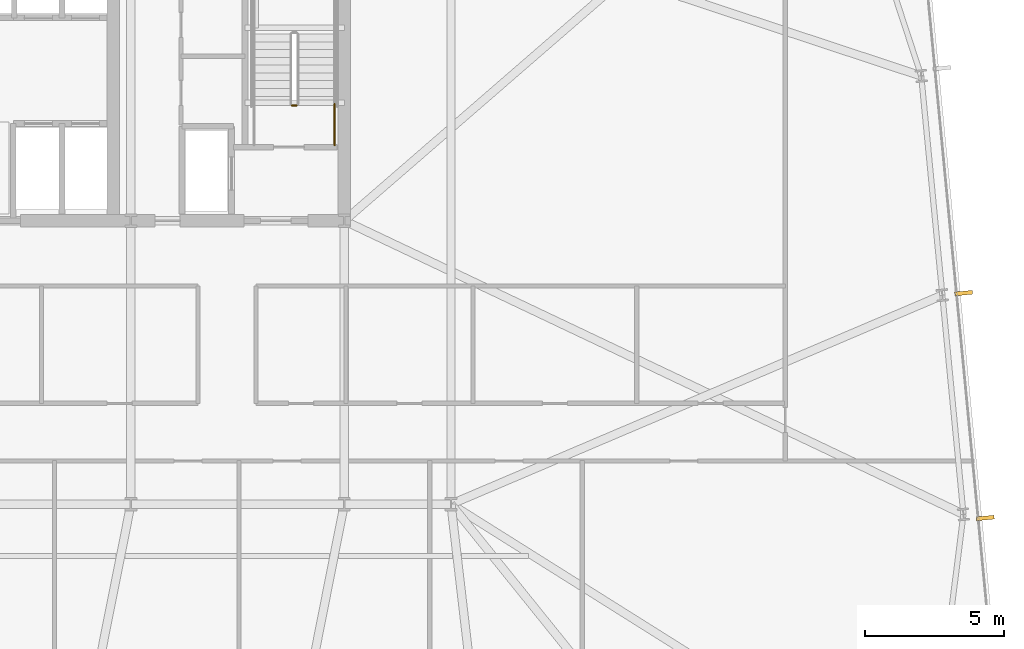
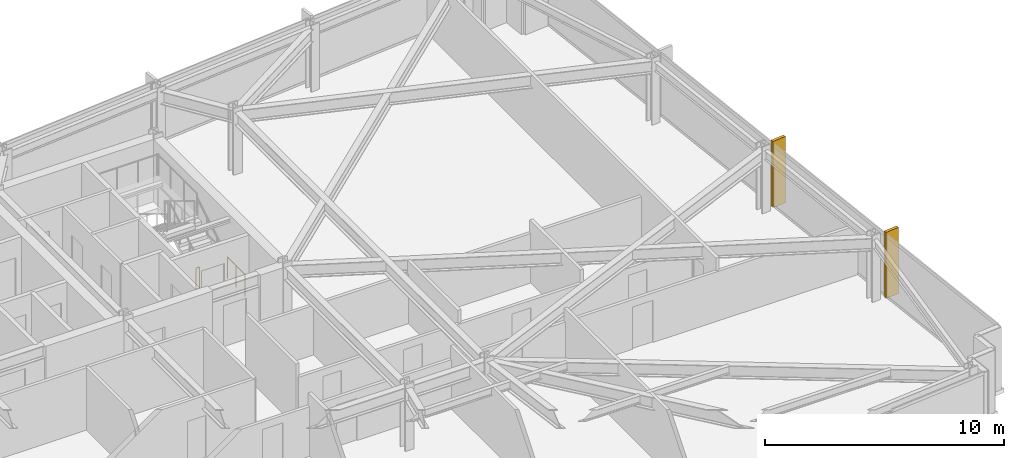
# One storey, part 31 of 33: 2 railings, 2 shading devices.
"""IFC4 building model written with IfcOpenShell, lengths in metres."""

from ifc_helpers import new_model, si_unit, direction, frame, origin, origin_2d, place, context, subcontext, project, spatial, rectangle, circle, extrude, material, layer, layer_set, type_object, element, save


model = new_model("IFC4")

# Units and contexts
model_context = context("Model", 3, precision=1e-05, world=origin(), true_north=direction((0.0, 1.0)))
body_context = subcontext(model_context, "Body", "Model", "MODEL_VIEW")
ifc_project = project(units=[si_unit("LENGTHUNIT", "METRE"), si_unit("AREAUNIT", "SQUARE_METRE"), si_unit("VOLUMEUNIT", "CUBIC_METRE"), si_unit("PLANEANGLEUNIT", "RADIAN"), si_unit("MASSUNIT", "GRAM", prefix="KILO")], contexts=[model_context])

# Site, building, storey
site_placement = place(None, origin())
site = spatial("IfcSite", under=ifc_project, at=site_placement, CompositionType="ELEMENT")
building_placement = place(site_placement, origin())
building = spatial("IfcBuilding", under=site, at=building_placement, Name="Yelkora Congress Tower", CompositionType="ELEMENT")
storey_placement = place(building_placement, frame((0.0, 0.0, 106.699951171875)))
storey = spatial("IfcBuildingStorey", under=building, at=storey_placement, Name="L28", CompositionType="ELEMENT", Elevation=106.699951171875)

# Railings
ifc_material_1 = material(Name="Painted galvanised steel stair well guard with vertical infill", Category="steel")
ifc_layer_1 = layer(ifc_material_1, 0.06005859375)
ifc_layer_set_1 = layer_set([ifc_layer_1], Name="Painted galvanised steel stair well guard with vertical infill")
railing_type = type_object("IfcRailingType", Name="RAIL-STAIR-GUARD-1120", PredefinedType="GUARDRAIL", material=ifc_layer_set_1)
railing_1_placement = place(storey_placement, frame((52.0400390625, 39.550048828125, 0.0)))
element("IfcRailing", 1, at=railing_1_placement, inside=storey, type_object=railing_type, Name="ST-02 L28 Stair Well Guardrail 7", PredefinedType="GUARDRAIL", context=body_context, shape_type="SweptSolid", body=[
    extrude(circle(Radius=0.02392578125, at=origin_2d()), frame((0.0, 0.0, 1.09619140625), z_axis=(-1.0, 0.0, 0.0), x_axis=(0.0, -1.0, 0.0)), (0.0, 0.0, 1.0), 0.16015625),
    extrude(circle(Radius=0.02099609375, at=origin_2d()), origin(), (0.0, 0.0, 1.0), 1.072021484375),
    extrude(circle(Radius=0.02099609375, at=origin_2d()), frame((-0.16015625, 0.0, 0.0)), (0.0, 0.0, 1.0), 1.072021484375),
])
railing_2_placement = place(storey_placement, frame((53.409912109375, 38.1201171875, 0.0)))
element("IfcRailing", 2, at=railing_2_placement, inside=storey, type_object=railing_type, Name="ST-02 L28 Stair Well Guardrail 8", PredefinedType="GUARDRAIL", context=body_context, shape_type="SweptSolid", body=[
    extrude(circle(Radius=0.02392578125, at=origin_2d()), frame((0.0, 0.0, 1.09619140625), z_axis=(0.0, 1.0, 0.0), x_axis=(-1.0, 0.0, 0.0)), (0.0, 0.0, 1.0), 1.47998046875),
    extrude(circle(Radius=0.02099609375, at=origin_2d()), origin(), (0.0, 0.0, 1.0), 1.072021484375),
    extrude(circle(Radius=0.02099609375, at=origin_2d()), frame((0.0, 0.739990234375, 0.0)), (0.0, 0.0, 1.0), 1.072021484375),
    extrude(circle(Radius=0.02099609375, at=origin_2d()), frame((0.0, 1.47998046875, 0.0)), (0.0, 0.0, 1.0), 1.072021484375),
])

# Shading devices
ifc_material_2 = material(Name="Champagne anodised aluminium", Category="aluminium")
ifc_layer_2 = layer(ifc_material_2, 3.39990234375)
ifc_layer_set_2 = layer_set([ifc_layer_2], Name="Champagne anodised aluminium")
shading_device_type = type_object("IfcShadingDeviceType", Name="SHD-FIN-ALU-640", PredefinedType="USERDEFINED", material=ifc_layer_set_2)
for number, where, z_axis, x_axis, name in (
    (3, (76.048095703125, 32.7958984375, -0.02978515625), (0.0, 0.0, 1.0), (0.09584575252, -0.995396198367, 0.0), "L28 Vertical Anodised Solar Fin 15-2"),
    (4, (76.827392578125, 24.703125, -0.02978515625), (0.0, 0.0, 1.0), (0.09584575252, -0.995396198367, 0.0), "L28 Vertical Anodised Solar Fin 15-3"),
):
    element("IfcShadingDevice", number, at=place(storey_placement, frame(where, z_axis=z_axis, x_axis=x_axis)), inside=storey, type_object=shading_device_type, Name=name, ObjectType="FIN", PredefinedType="USERDEFINED", context=body_context, shape_type="SweptSolid", body=[
        extrude(rectangle(XDim=0.139892578125, YDim=0.639892578125, at=origin_2d()), origin(), (0.0, 0.0, 1.0), 3.3798828125),
    ])

save(model, "model.ifc")
